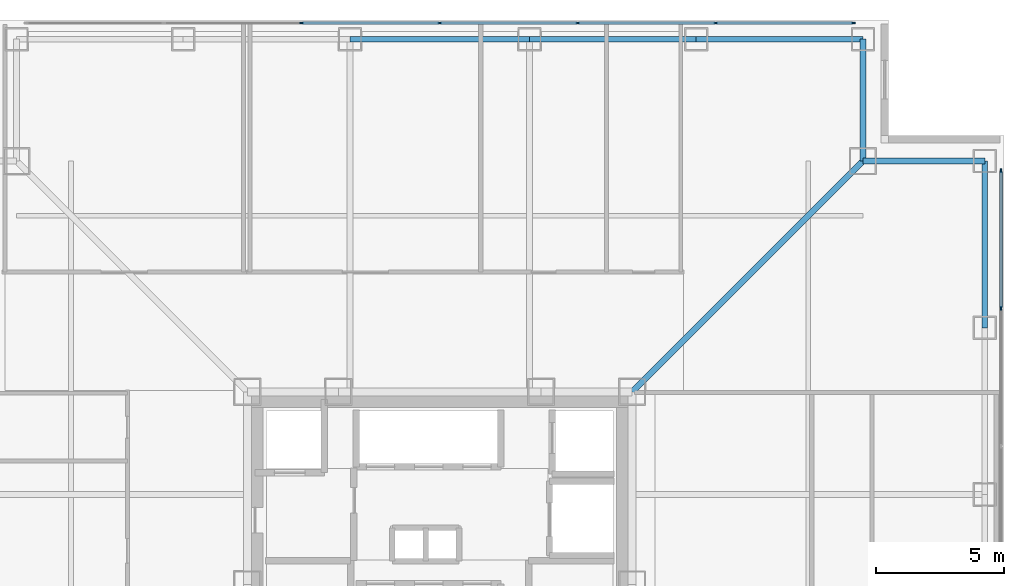
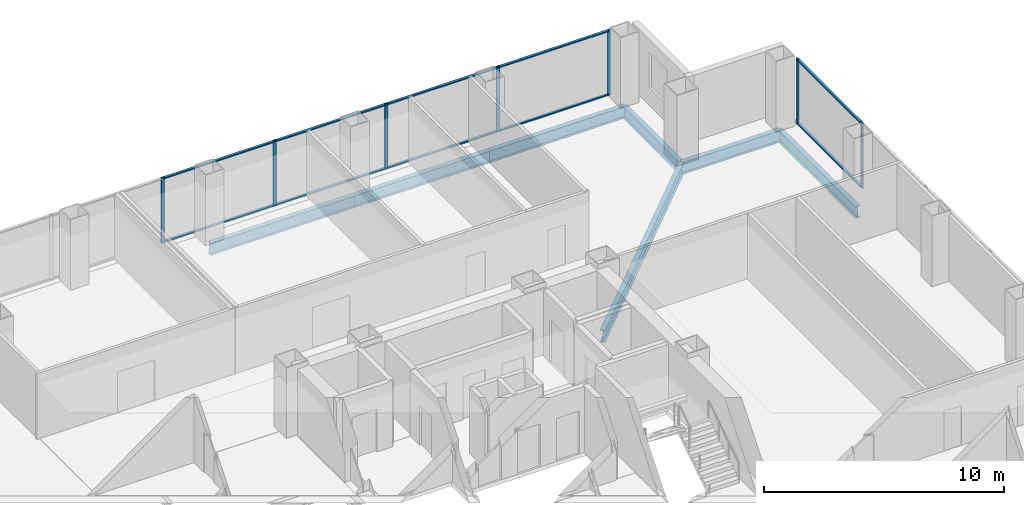
# One storey, part 11 of 17: 17 members, 7 beams, 2 elements without a shape of their own.
"""IFC4 building model written with IfcOpenShell, lengths in metres."""

from ifc_helpers import new_model, si_unit, direction, frame, origin, origin_2d, place, context, subcontext, project, spatial, rectangle, i_section, extrude, material, layer, layer_set, material_profile, profile_set, type_object, element, aggregate, save


model = new_model("IFC4")

# Units and contexts
model_context = context("Model", 3, precision=1e-05, world=origin(), true_north=direction((0.0, 1.0)))
body_context = subcontext(model_context, "Body", "Model", "MODEL_VIEW")
ifc_project = project(units=[si_unit("LENGTHUNIT", "METRE"), si_unit("AREAUNIT", "SQUARE_METRE"), si_unit("VOLUMEUNIT", "CUBIC_METRE"), si_unit("PLANEANGLEUNIT", "RADIAN"), si_unit("MASSUNIT", "GRAM", prefix="KILO")], contexts=[model_context])

# Site, building, storey
site_placement = place(None, origin())
site = spatial("IfcSite", under=ifc_project, at=site_placement, CompositionType="ELEMENT")
building_placement = place(site_placement, origin())
building = spatial("IfcBuilding", under=site, at=building_placement, Name="Trevonay Congress Spire", CompositionType="ELEMENT")
storey_placement = place(building_placement, frame((0.0, 0.0, 130.0)))
storey = spatial("IfcBuildingStorey", under=building, at=storey_placement, Name="L33", CompositionType="ELEMENT", Elevation=130.0)

# Beams
ifc_material_1 = material(Name="Steel ASTM A572 Grade 50", Category="steel")
ifc_material_profile_1 = material_profile(ifc_material_1, i_section(OverallWidth=0.22998046875, OverallDepth=0.616943359375, WebThickness=0.01318359375, FlangeThickness=0.022216796875, FilletRadius=0.01611328125, at=origin_2d()), Name="W610x140")
ifc_profile_set_1 = profile_set([ifc_material_profile_1], Name="Steel ASTM A572 Grade 50")
beam_type_1 = type_object("IfcBeamType", Name="BM-GIRD-W610X140", PredefinedType="BEAM", material=ifc_profile_set_1)
beam_1_placement = place(storey_placement, frame((7.5, 7.5, -0.548583984375), z_axis=(0.707106781187, 0.707106781187, 0.0), x_axis=(-0.707106781187, 0.707106781187, 0.0)))
element("IfcBeam", 1, at=beam_1_placement, inside=storey, type_object=beam_type_1, Name="L33 structural beam BM-L33-CDNE", PredefinedType="BEAM", context=body_context, shape_type="SweptSolid", body=[
    extrude(i_section(OverallWidth=0.22998046875, OverallDepth=0.616943359375, WebThickness=0.01318359375, FlangeThickness=0.022216796875, FilletRadius=0.01611328125, at=origin_2d()), origin(), (0.0, 0.0, 1.0), 12.72802734375),
])
ifc_material_profile_2 = material_profile(ifc_material_1, i_section(OverallWidth=0.22802734375, OverallDepth=0.60791015625, WebThickness=0.01123046875, FlangeThickness=0.017333984375, FilletRadius=0.01611328125, at=origin_2d()), Name="W610x113")
ifc_profile_set_2 = profile_set([ifc_material_profile_2], Name="Steel ASTM A572 Grade 50")
beam_type_2 = type_object("IfcBeamType", Name="BM-RING-W610X113", PredefinedType="BEAM", material=ifc_profile_set_2)
beam_2_placement = place(storey_placement, frame((-3.5, 21.25, -0.5439453125), z_axis=(1.0, 0.0, 0.0), x_axis=(0.0, 1.0, 0.0)))
element("IfcBeam", 2, at=beam_2_placement, inside=storey, type_object=beam_type_2, Name="L33 structural beam BM-L33-PN3", PredefinedType="BEAM", context=body_context, shape_type="SweptSolid", body=[
    extrude(i_section(OverallWidth=0.22802734375, OverallDepth=0.60791015625, WebThickness=0.01123046875, FlangeThickness=0.017333984375, FilletRadius=0.01611328125, at=origin_2d()), origin(), (0.0, 0.0, 1.0), 7.0),
])
for number, where, z_axis, x_axis, name in (
    (3, (3.5, 21.25, -0.5439453125), (1.0, 0.0, 0.0), (0.0, 1.0, 0.0), "L33 structural beam BM-L33-PN4"),
    (4, (10.0, 21.25, -0.5439453125), (1.0, 0.0, 0.0), (0.0, 1.0, 0.0), "L33 structural beam BM-L33-PN5"),
    (5, (21.25, 10.0, -0.5439453125), (0.0, 1.0, 0.0), (-1.0, 0.0, 0.0), "L33 structural beam BM-L33-PE5"),
):
    element("IfcBeam", number, at=place(storey_placement, frame(where, z_axis=z_axis, x_axis=x_axis)), inside=storey, type_object=beam_type_2, Name=name, PredefinedType="BEAM", context=body_context, shape_type="SweptSolid", body=[
        extrude(i_section(OverallWidth=0.22802734375, OverallDepth=0.60791015625, WebThickness=0.01123046875, FlangeThickness=0.017333984375, FilletRadius=0.01611328125, at=origin_2d()), origin(), (0.0, 0.0, 1.0), 6.5),
    ])
for number, where, z_axis, x_axis, name in (
    (6, (16.5, 21.25, -0.5439453125), (0.0, -1.0, 0.0), (1.0, 0.0, 0.0), "L33 structural beam BM-L33-N1NE"),
    (7, (21.25, 16.5, -0.5439453125), (-1.0, 0.0, 0.0), (0.0, -1.0, 0.0), "L33 structural beam BM-L33-N2NE"),
):
    element("IfcBeam", number, at=place(storey_placement, frame(where, z_axis=z_axis, x_axis=x_axis)), inside=storey, type_object=beam_type_2, Name=name, PredefinedType="BEAM", context=body_context, shape_type="SweptSolid", body=[
        extrude(i_section(OverallWidth=0.22802734375, OverallDepth=0.60791015625, WebThickness=0.01123046875, FlangeThickness=0.017333984375, FilletRadius=0.01611328125, at=origin_2d()), origin(), (0.0, 0.0, 1.0), 4.75),
    ])

# Curtain wall, members
ifc_material_2 = material(Name="Pale Anodised Aluminium EN AW-6063-T6", Category="aluminium")
ifc_layer = layer(ifc_material_2, 0.175048828125, Name="Pale Anodised Aluminium EN AW-6063-T6")
ifc_layer_set = layer_set([ifc_layer], Name="Pale Anodised Aluminium EN AW-6063-T6")
curtain_wall_type = type_object("IfcCurtainWallType", Name="CW-SYS03-CONGRESS-PALE-METAL", PredefinedType="NOTDEFINED", material=ifc_layer_set)
curtain_wall_1_placement = place(storey_placement, origin())
curtain_wall_1 = element("IfcCurtainWall", 8, at=curtain_wall_1_placement, inside=storey, type_object=curtain_wall_type, Name="L33 N unitised curtain wall", PredefinedType="NOTDEFINED")
ifc_material_profile_3 = material_profile(ifc_material_2, rectangle(XDim=0.06005859375, YDim=0.159912109375, at=origin_2d()), Name="CW-MULLION-160-ALUMINIUM")
ifc_profile_set_3 = profile_set([ifc_material_profile_3], Name="Pale Anodised Aluminium EN AW-6063-T6")
member_type_1 = type_object("IfcMemberType", Name="CW-MULLION-160-ALUMINIUM", PredefinedType="MULLION", material=ifc_profile_set_3)
member_1_placement = place(storey_placement, frame((-5.38330078125, 21.8798828125, 0.0), z_axis=(0.0, 0.0, 1.0), x_axis=(0.0, 1.0, 0.0)))
member_1 = element("IfcMember", 9, at=member_1_placement, type_object=member_type_1, Name="CW03 mullion 3", PredefinedType="MULLION", context=body_context, shape_type="SweptSolid", body=[
    extrude(rectangle(XDim=0.06005859375, YDim=0.159912109375, at=origin_2d()), origin(), (0.0, 0.0, 1.0), 3.360107421875),
])
member_2_placement = place(storey_placement, frame((0.0, 21.8798828125, 0.0), z_axis=(0.0, 0.0, 1.0), x_axis=(0.0, 1.0, 0.0)))
member_2 = element("IfcMember", 10, at=member_2_placement, type_object=member_type_1, Name="CW03 mullion 4", PredefinedType="MULLION", context=body_context, shape_type="SweptSolid", body=[
    extrude(rectangle(XDim=0.06005859375, YDim=0.159912109375, at=origin_2d()), origin(), (0.0, 0.0, 1.0), 3.360107421875),
])
member_3_placement = place(storey_placement, frame((5.38330078125, 21.8798828125, 0.0), z_axis=(0.0, 0.0, 1.0), x_axis=(0.0, 1.0, 0.0)))
member_3 = element("IfcMember", 11, at=member_3_placement, type_object=member_type_1, Name="CW03 mullion 5", PredefinedType="MULLION", context=body_context, shape_type="SweptSolid", body=[
    extrude(rectangle(XDim=0.06005859375, YDim=0.159912109375, at=origin_2d()), origin(), (0.0, 0.0, 1.0), 3.360107421875),
])
member_4_placement = place(storey_placement, frame((10.7666015625, 21.8798828125, 0.0), z_axis=(0.0, 0.0, 1.0), x_axis=(0.0, 1.0, 0.0)))
member_4 = element("IfcMember", 12, at=member_4_placement, type_object=member_type_1, Name="CW03 mullion 6", PredefinedType="MULLION", context=body_context, shape_type="SweptSolid", body=[
    extrude(rectangle(XDim=0.06005859375, YDim=0.159912109375, at=origin_2d()), origin(), (0.0, 0.0, 1.0), 3.360107421875),
])
member_5_placement = place(storey_placement, frame((16.1201171875, 21.8798828125, 0.0), z_axis=(0.0, 0.0, 1.0), x_axis=(0.0, 1.0, 0.0)))
member_5 = element("IfcMember", 13, at=member_5_placement, type_object=member_type_1, Name="CW03 mullion 7", PredefinedType="MULLION", context=body_context, shape_type="SweptSolid", body=[
    extrude(rectangle(XDim=0.06005859375, YDim=0.159912109375, at=origin_2d()), origin(), (0.0, 0.0, 1.0), 3.360107421875),
])

curtain_wall_2_placement = place(storey_placement, origin())
curtain_wall_2 = element("IfcCurtainWall", 14, at=curtain_wall_2_placement, inside=storey, type_object=curtain_wall_type, Name="L33 E unitised curtain wall", PredefinedType="NOTDEFINED")
member_6_placement = place(storey_placement, frame((21.8798828125, 10.7666015625, 0.0), z_axis=(0.0, 0.0, 1.0), x_axis=(-1.0, 0.0, 0.0)))
member_6 = element("IfcMember", 15, at=member_6_placement, type_object=member_type_1, Name="CW03 mullion 6", PredefinedType="MULLION", context=body_context, shape_type="SweptSolid", body=[
    extrude(rectangle(XDim=0.06005859375, YDim=0.159912109375, at=origin_2d()), origin(), (0.0, 0.0, 1.0), 3.360107421875),
])
member_7_placement = place(storey_placement, frame((21.8798828125, 16.1201171875, 0.0), z_axis=(0.0, 0.0, 1.0), x_axis=(-1.0, 0.0, 0.0)))
member_7 = element("IfcMember", 16, at=member_7_placement, type_object=member_type_1, Name="CW03 mullion 7", PredefinedType="MULLION", context=body_context, shape_type="SweptSolid", body=[
    extrude(rectangle(XDim=0.06005859375, YDim=0.159912109375, at=origin_2d()), origin(), (0.0, 0.0, 1.0), 3.360107421875),
])

# Member
ifc_material_profile_4 = material_profile(ifc_material_2, rectangle(XDim=0.1201171875, YDim=0.06005859375, at=origin_2d()), Name="CW-TRANSOM-120-ALUMINIUM")
ifc_profile_set_4 = profile_set([ifc_material_profile_4], Name="Pale Anodised Aluminium EN AW-6063-T6")
member_type_2 = type_object("IfcMemberType", Name="CW-TRANSOM-120-ALUMINIUM", PredefinedType="USERDEFINED", material=ifc_profile_set_4)
member_8_placement = place(storey_placement, frame((-5.353271484375, 21.8798828125, 0.06005859375), z_axis=(1.0, 0.0, 0.0), x_axis=(0.0, 1.0, 0.0)))
member_8 = element("IfcMember", 17, at=member_8_placement, type_object=member_type_2, Name="CW03 transom 3.1", ObjectType="TRANSOM", PredefinedType="USERDEFINED", context=body_context, shape_type="SweptSolid", body=[
    extrude(rectangle(XDim=0.1201171875, YDim=0.06005859375, at=origin_2d()), origin(), (0.0, 0.0, 1.0), 5.3232421875),
])

member_9_placement = place(storey_placement, frame((-5.353271484375, 21.8798828125, 3.300048828125), z_axis=(1.0, 0.0, 0.0), x_axis=(0.0, 1.0, 0.0)))
member_9 = element("IfcMember", 18, at=member_9_placement, type_object=member_type_2, Name="CW03 transom 3.2", ObjectType="TRANSOM", PredefinedType="USERDEFINED", context=body_context, shape_type="SweptSolid", body=[
    extrude(rectangle(XDim=0.1201171875, YDim=0.06005859375, at=origin_2d()), origin(), (0.0, 0.0, 1.0), 5.3232421875),
])

member_10_placement = place(storey_placement, frame((0.030029296875, 21.8798828125, 0.06005859375), z_axis=(1.0, 0.0, 0.0), x_axis=(0.0, 1.0, 0.0)))
member_10 = element("IfcMember", 19, at=member_10_placement, type_object=member_type_2, Name="CW03 transom 4.1", ObjectType="TRANSOM", PredefinedType="USERDEFINED", context=body_context, shape_type="SweptSolid", body=[
    extrude(rectangle(XDim=0.1201171875, YDim=0.06005859375, at=origin_2d()), origin(), (0.0, 0.0, 1.0), 5.3232421875),
])

member_11_placement = place(storey_placement, frame((0.030029296875, 21.8798828125, 3.300048828125), z_axis=(1.0, 0.0, 0.0), x_axis=(0.0, 1.0, 0.0)))
member_11 = element("IfcMember", 20, at=member_11_placement, type_object=member_type_2, Name="CW03 transom 4.2", ObjectType="TRANSOM", PredefinedType="USERDEFINED", context=body_context, shape_type="SweptSolid", body=[
    extrude(rectangle(XDim=0.1201171875, YDim=0.06005859375, at=origin_2d()), origin(), (0.0, 0.0, 1.0), 5.3232421875),
])

member_12_placement = place(storey_placement, frame((5.413330078125, 21.8798828125, 0.06005859375), z_axis=(1.0, 0.0, 0.0), x_axis=(0.0, 1.0, 0.0)))
member_12 = element("IfcMember", 21, at=member_12_placement, type_object=member_type_2, Name="CW03 transom 5.1", ObjectType="TRANSOM", PredefinedType="USERDEFINED", context=body_context, shape_type="SweptSolid", body=[
    extrude(rectangle(XDim=0.1201171875, YDim=0.06005859375, at=origin_2d()), origin(), (0.0, 0.0, 1.0), 5.3232421875),
])

member_13_placement = place(storey_placement, frame((5.413330078125, 21.8798828125, 3.300048828125), z_axis=(1.0, 0.0, 0.0), x_axis=(0.0, 1.0, 0.0)))
member_13 = element("IfcMember", 22, at=member_13_placement, type_object=member_type_2, Name="CW03 transom 5.2", ObjectType="TRANSOM", PredefinedType="USERDEFINED", context=body_context, shape_type="SweptSolid", body=[
    extrude(rectangle(XDim=0.1201171875, YDim=0.06005859375, at=origin_2d()), origin(), (0.0, 0.0, 1.0), 5.3232421875),
])

member_14_placement = place(storey_placement, frame((10.796630859375, 21.8798828125, 0.06005859375), z_axis=(1.0, 0.0, 0.0), x_axis=(0.0, 1.0, 0.0)))
member_14 = element("IfcMember", 23, at=member_14_placement, type_object=member_type_2, Name="CW03 transom 6.1", ObjectType="TRANSOM", PredefinedType="USERDEFINED", context=body_context, shape_type="SweptSolid", body=[
    extrude(rectangle(XDim=0.1201171875, YDim=0.06005859375, at=origin_2d()), origin(), (0.0, 0.0, 1.0), 5.29345703125),
])

member_15_placement = place(storey_placement, frame((10.796630859375, 21.8798828125, 3.300048828125), z_axis=(1.0, 0.0, 0.0), x_axis=(0.0, 1.0, 0.0)))
member_15 = element("IfcMember", 24, at=member_15_placement, type_object=member_type_2, Name="CW03 transom 6.2", ObjectType="TRANSOM", PredefinedType="USERDEFINED", context=body_context, shape_type="SweptSolid", body=[
    extrude(rectangle(XDim=0.1201171875, YDim=0.06005859375, at=origin_2d()), origin(), (0.0, 0.0, 1.0), 5.29345703125),
])

aggregate(curtain_wall_1, [member_1, member_2, member_3, member_4, member_5, member_8, member_9, member_10, member_11, member_12, member_13, member_14, member_15])

member_16_placement = place(storey_placement, frame((21.8798828125, 10.796630859375, 0.06005859375), z_axis=(0.0, 1.0, 0.0), x_axis=(-1.0, 0.0, 0.0)))
member_16 = element("IfcMember", 25, at=member_16_placement, type_object=member_type_2, Name="CW03 transom 6.1", ObjectType="TRANSOM", PredefinedType="USERDEFINED", context=body_context, shape_type="SweptSolid", body=[
    extrude(rectangle(XDim=0.1201171875, YDim=0.06005859375, at=origin_2d()), origin(), (0.0, 0.0, 1.0), 5.29345703125),
])

member_17_placement = place(storey_placement, frame((21.8798828125, 10.796630859375, 3.300048828125), z_axis=(0.0, 1.0, 0.0), x_axis=(-1.0, 0.0, 0.0)))
member_17 = element("IfcMember", 26, at=member_17_placement, type_object=member_type_2, Name="CW03 transom 6.2", ObjectType="TRANSOM", PredefinedType="USERDEFINED", context=body_context, shape_type="SweptSolid", body=[
    extrude(rectangle(XDim=0.1201171875, YDim=0.06005859375, at=origin_2d()), origin(), (0.0, 0.0, 1.0), 5.29345703125),
])

aggregate(curtain_wall_2, [member_6, member_7, member_16, member_17])

save(model, "model.ifc")
